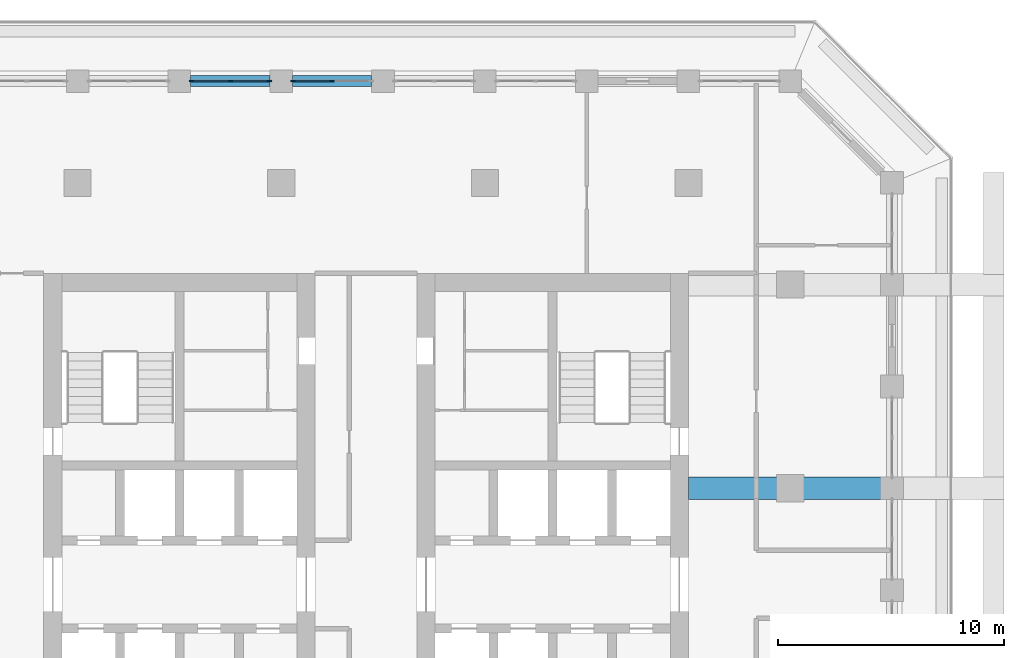
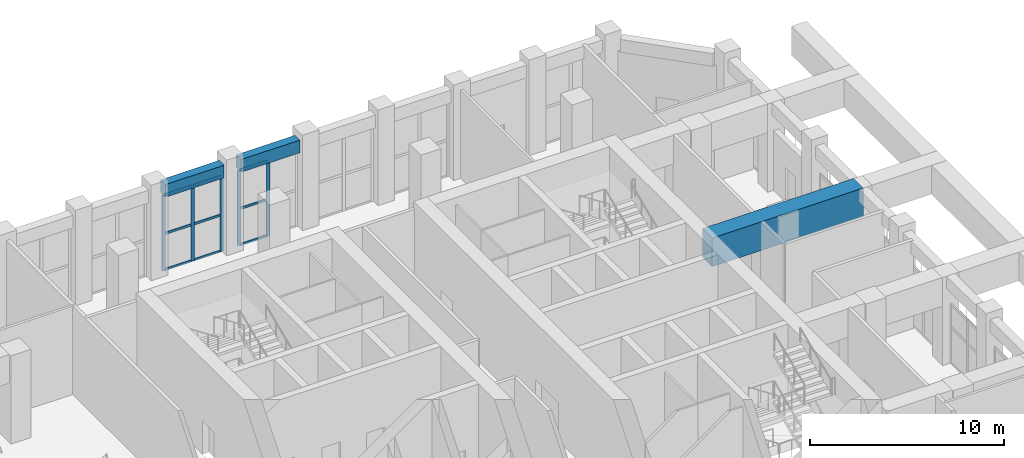
# One storey, part 7 of 25: 14 members, 3 beams, 2 elements without a shape of their own.
"""IFC4 building model written with IfcOpenShell, lengths in metres."""

from ifc_helpers import new_model, si_unit, direction, frame, origin, origin_2d, place, context, subcontext, project, spatial, rectangle, extrude, material, material_profile, profile_set, type_object, element, aggregate, save


model = new_model("IFC4")

# Units and contexts
model_context = context("Model", 3, precision=1e-05, world=origin(), true_north=direction((0.0, 1.0)))
body_context = subcontext(model_context, "Body", "Model", "MODEL_VIEW")
ifc_project = project(units=[si_unit("LENGTHUNIT", "METRE"), si_unit("AREAUNIT", "SQUARE_METRE"), si_unit("VOLUMEUNIT", "CUBIC_METRE"), si_unit("PLANEANGLEUNIT", "RADIAN"), si_unit("MASSUNIT", "GRAM", prefix="KILO")], contexts=[model_context])

# Site, building, storey
site_placement = place(None, origin())
site = spatial("IfcSite", under=ifc_project, at=site_placement, CompositionType="ELEMENT")
building_placement = place(site_placement, origin())
building = spatial("IfcBuilding", under=site, at=building_placement, Name="Corbel Stack Research Tower", CompositionType="ELEMENT")
storey_placement = place(building_placement, frame((0.0, 0.0, 185.5)))
storey = spatial("IfcBuildingStorey", under=building, at=storey_placement, Name="L42", CompositionType="ELEMENT", Elevation=185.5)

# Curtain wall, members
ifc_material_1 = material(Name="Aluminium frame, clear glass", Category="aluminium")
curtain_wall_type = type_object("IfcCurtainWallType", Name="Upper amenity floor curtain wall CW3", PredefinedType="NOTDEFINED", material=ifc_material_1)
curtain_wall_1_placement = place(storey_placement, origin())
curtain_wall_1 = element("IfcCurtainWall", 1, at=curtain_wall_1_placement, inside=storey, type_object=curtain_wall_type, Name="Curtain wall CW3 L42 N05", PredefinedType="NOTDEFINED")
ifc_material_2 = material(Name="Aluminium mullion", Category="aluminium")
ifc_material_profile_1 = material_profile(ifc_material_2, rectangle(XDim=0.06005859375, YDim=0.199951171875, at=origin_2d()), Name="Mullion 60 x 200")
ifc_profile_set_1 = profile_set([ifc_material_profile_1], Name="Aluminium mullion")
member_type_1 = type_object("IfcMemberType", Name="Curtain wall mullion 60 x 200", PredefinedType="MULLION", material=ifc_profile_set_1)
member_1_placement = place(storey_placement, frame((2.25, 27.0, 0.0), z_axis=(0.0, 0.0, 1.0), x_axis=(0.0, -1.0, 0.0)))
member_1 = element("IfcMember", 2, at=member_1_placement, type_object=member_type_1, Name="CW3 mullion 2", PredefinedType="MULLION", context=body_context, shape_type="SweptSolid", body=[
    extrude(rectangle(XDim=0.06005859375, YDim=0.199951171875, at=origin_2d()), origin(), (0.0, 0.0, 1.0), 4.75),
])
member_2_placement = place(storey_placement, frame((0.530029296875, 27.0, 0.0), z_axis=(0.0, 0.0, 1.0), x_axis=(0.0, -1.0, 0.0)))
member_2 = element("IfcMember", 3, at=member_2_placement, type_object=member_type_1, Name="CW3 mullion 3", PredefinedType="MULLION", context=body_context, shape_type="SweptSolid", body=[
    extrude(rectangle(XDim=0.06005859375, YDim=0.199951171875, at=origin_2d()), origin(), (0.0, 0.0, 1.0), 4.75),
])

curtain_wall_2_placement = place(storey_placement, origin())
curtain_wall_2 = element("IfcCurtainWall", 4, at=curtain_wall_2_placement, inside=storey, type_object=curtain_wall_type, Name="Curtain wall CW3 L42 N06", PredefinedType="NOTDEFINED")
member_3_placement = place(storey_placement, frame((-0.530029296875, 27.0, 0.0), z_axis=(0.0, 0.0, 1.0), x_axis=(0.0, -1.0, 0.0)))
member_3 = element("IfcMember", 5, at=member_3_placement, type_object=member_type_1, Name="CW3 mullion 1", PredefinedType="MULLION", context=body_context, shape_type="SweptSolid", body=[
    extrude(rectangle(XDim=0.06005859375, YDim=0.199951171875, at=origin_2d()), origin(), (0.0, 0.0, 1.0), 4.75),
])
member_4_placement = place(storey_placement, frame((-2.25, 27.0, 0.0), z_axis=(0.0, 0.0, 1.0), x_axis=(0.0, -1.0, 0.0)))
member_4 = element("IfcMember", 6, at=member_4_placement, type_object=member_type_1, Name="CW3 mullion 2", PredefinedType="MULLION", context=body_context, shape_type="SweptSolid", body=[
    extrude(rectangle(XDim=0.06005859375, YDim=0.199951171875, at=origin_2d()), origin(), (0.0, 0.0, 1.0), 4.75),
])
member_5_placement = place(storey_placement, frame((-3.969970703125, 27.0, 0.0), z_axis=(0.0, 0.0, 1.0), x_axis=(0.0, -1.0, 0.0)))
member_5 = element("IfcMember", 7, at=member_5_placement, type_object=member_type_1, Name="CW3 mullion 3", PredefinedType="MULLION", context=body_context, shape_type="SweptSolid", body=[
    extrude(rectangle(XDim=0.06005859375, YDim=0.199951171875, at=origin_2d()), origin(), (0.0, 0.0, 1.0), 4.75),
])

# Member
ifc_material_3 = material(Name="Aluminium transom", Category="aluminium")
ifc_material_profile_2 = material_profile(ifc_material_3, rectangle(XDim=0.06005859375, YDim=0.14990234375, at=origin_2d()), Name="Transom 60 x 150")
ifc_profile_set_2 = profile_set([ifc_material_profile_2], Name="Aluminium transom")
member_type_2 = type_object("IfcMemberType", Name="Curtain wall transom 60 x 150", PredefinedType="USERDEFINED", material=ifc_profile_set_2)
member_6_placement = place(storey_placement, frame((2.219970703125, 27.0, 0.030029296875), z_axis=(-1.0, 0.0, 0.0), x_axis=(0.0, -1.0, 0.0)))
member_6 = element("IfcMember", 8, at=member_6_placement, type_object=member_type_2, Name="CW3 transom 2.1", ObjectType="TRANSOM", PredefinedType="USERDEFINED", context=body_context, shape_type="SweptSolid", body=[
    extrude(rectangle(XDim=0.06005859375, YDim=0.14990234375, at=origin_2d()), origin(), (0.0, 0.0, 1.0), 1.659912109375),
])

member_7_placement = place(storey_placement, frame((2.219970703125, 27.0, 2.300048828125), z_axis=(-1.0, 0.0, 0.0), x_axis=(0.0, -1.0, 0.0)))
member_7 = element("IfcMember", 9, at=member_7_placement, type_object=member_type_2, Name="CW3 transom 2.2", ObjectType="TRANSOM", PredefinedType="USERDEFINED", context=body_context, shape_type="SweptSolid", body=[
    extrude(rectangle(XDim=0.06005859375, YDim=0.14990234375, at=origin_2d()), origin(), (0.0, 0.0, 1.0), 1.659912109375),
])

member_8_placement = place(storey_placement, frame((2.219970703125, 27.0, 4.719970703125), z_axis=(-1.0, 0.0, 0.0), x_axis=(0.0, -1.0, 0.0)))
member_8 = element("IfcMember", 10, at=member_8_placement, type_object=member_type_2, Name="CW3 transom 2.3", ObjectType="TRANSOM", PredefinedType="USERDEFINED", context=body_context, shape_type="SweptSolid", body=[
    extrude(rectangle(XDim=0.06005859375, YDim=0.14990234375, at=origin_2d()), origin(), (0.0, 0.0, 1.0), 1.659912109375),
])

aggregate(curtain_wall_1, [member_1, member_2, member_6, member_7, member_8])

member_9_placement = place(storey_placement, frame((-0.56005859375, 27.0, 0.030029296875), z_axis=(-1.0, 0.0, 0.0), x_axis=(0.0, -1.0, 0.0)))
member_9 = element("IfcMember", 11, at=member_9_placement, type_object=member_type_2, Name="CW3 transom 1.1", ObjectType="TRANSOM", PredefinedType="USERDEFINED", context=body_context, shape_type="SweptSolid", body=[
    extrude(rectangle(XDim=0.06005859375, YDim=0.14990234375, at=origin_2d()), origin(), (0.0, 0.0, 1.0), 1.659912109375),
])

member_10_placement = place(storey_placement, frame((-0.56005859375, 27.0, 2.300048828125), z_axis=(-1.0, 0.0, 0.0), x_axis=(0.0, -1.0, 0.0)))
member_10 = element("IfcMember", 12, at=member_10_placement, type_object=member_type_2, Name="CW3 transom 1.2", ObjectType="TRANSOM", PredefinedType="USERDEFINED", context=body_context, shape_type="SweptSolid", body=[
    extrude(rectangle(XDim=0.06005859375, YDim=0.14990234375, at=origin_2d()), origin(), (0.0, 0.0, 1.0), 1.659912109375),
])

member_11_placement = place(storey_placement, frame((-0.56005859375, 27.0, 4.719970703125), z_axis=(-1.0, 0.0, 0.0), x_axis=(0.0, -1.0, 0.0)))
member_11 = element("IfcMember", 13, at=member_11_placement, type_object=member_type_2, Name="CW3 transom 1.3", ObjectType="TRANSOM", PredefinedType="USERDEFINED", context=body_context, shape_type="SweptSolid", body=[
    extrude(rectangle(XDim=0.06005859375, YDim=0.14990234375, at=origin_2d()), origin(), (0.0, 0.0, 1.0), 1.659912109375),
])

member_12_placement = place(storey_placement, frame((-2.280029296875, 27.0, 0.030029296875), z_axis=(-1.0, 0.0, 0.0), x_axis=(0.0, -1.0, 0.0)))
member_12 = element("IfcMember", 14, at=member_12_placement, type_object=member_type_2, Name="CW3 transom 2.1", ObjectType="TRANSOM", PredefinedType="USERDEFINED", context=body_context, shape_type="SweptSolid", body=[
    extrude(rectangle(XDim=0.06005859375, YDim=0.14990234375, at=origin_2d()), origin(), (0.0, 0.0, 1.0), 1.659912109375),
])

member_13_placement = place(storey_placement, frame((-2.280029296875, 27.0, 2.300048828125), z_axis=(-1.0, 0.0, 0.0), x_axis=(0.0, -1.0, 0.0)))
member_13 = element("IfcMember", 15, at=member_13_placement, type_object=member_type_2, Name="CW3 transom 2.2", ObjectType="TRANSOM", PredefinedType="USERDEFINED", context=body_context, shape_type="SweptSolid", body=[
    extrude(rectangle(XDim=0.06005859375, YDim=0.14990234375, at=origin_2d()), origin(), (0.0, 0.0, 1.0), 1.659912109375),
])

member_14_placement = place(storey_placement, frame((-2.280029296875, 27.0, 4.719970703125), z_axis=(-1.0, 0.0, 0.0), x_axis=(0.0, -1.0, 0.0)))
member_14 = element("IfcMember", 16, at=member_14_placement, type_object=member_type_2, Name="CW3 transom 2.3", ObjectType="TRANSOM", PredefinedType="USERDEFINED", context=body_context, shape_type="SweptSolid", body=[
    extrude(rectangle(XDim=0.06005859375, YDim=0.14990234375, at=origin_2d()), origin(), (0.0, 0.0, 1.0), 1.659912109375),
])

aggregate(curtain_wall_2, [member_3, member_4, member_5, member_9, member_10, member_11, member_12, member_13, member_14])

# Beams
ifc_material_4 = material(Name="Concrete C60/75", Category="concrete")
ifc_material_profile_3 = material_profile(ifc_material_4, rectangle(XDim=0.5, YDim=0.800048828125, at=origin_2d()), Name="RC 500 x 800")
ifc_profile_set_3 = profile_set([ifc_material_profile_3], Name="Concrete C60/75")
beam_type_1 = type_object("IfcBeamType", Name="SB-500-800-450", PredefinedType="SPANDREL", material=ifc_profile_set_3)
for number, where, z_axis, x_axis, name in (
    (17, (4.0, 27.0, 5.14990234375), (-1.0, 0.0, 0.0), (0.0, -1.0, 0.0), "Spandrel beam L42-27"),
    (18, (-0.5, 27.0, 5.14990234375), (-1.0, 0.0, 0.0), (0.0, -1.0, 0.0), "Spandrel beam L42-28"),
):
    element("IfcBeam", number, at=place(storey_placement, frame(where, z_axis=z_axis, x_axis=x_axis)), inside=storey, type_object=beam_type_1, Name=name, PredefinedType="SPANDREL", context=body_context, shape_type="SweptSolid", body=[
        extrude(rectangle(XDim=0.5, YDim=0.800048828125, at=origin_2d()), origin(), (0.0, 0.0, 1.0), 3.5),
    ])
ifc_material_5 = material(Name="Concrete C60/75", Category="concrete")
ifc_material_profile_4 = material_profile(ifc_material_5, rectangle(XDim=1.0, YDim=1.800048828125, at=origin_2d()), Name="RC 1000 x 1800")
ifc_profile_set_4 = profile_set([ifc_material_profile_4], Name="Concrete C60/75")
beam_type_2 = type_object("IfcBeamType", Name="TG-1000-1800", PredefinedType="BEAM", material=ifc_profile_set_4)
beam_placement = place(storey_placement, frame((27.0, 9.0, 4.64990234375), z_axis=(-1.0, 0.0, 0.0), x_axis=(0.0, -1.0, 0.0)))
element("IfcBeam", 19, at=beam_placement, inside=storey, type_object=beam_type_2, Name="Transfer girder L42 E9b", PredefinedType="BEAM", context=body_context, shape_type="SweptSolid", body=[
    extrude(rectangle(XDim=1.0, YDim=1.800048828125, at=origin_2d()), origin(), (0.0, 0.0, 1.0), 9.0),
])

save(model, "model.ifc")
